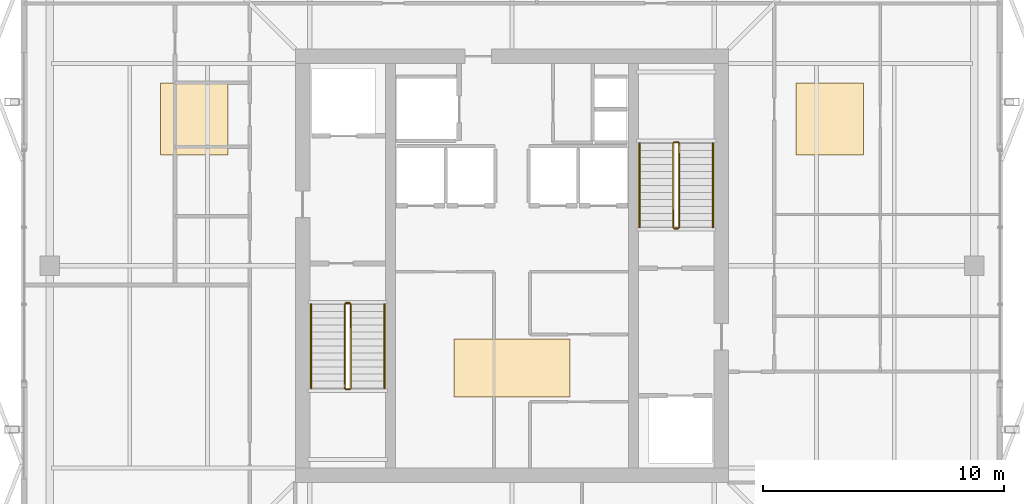
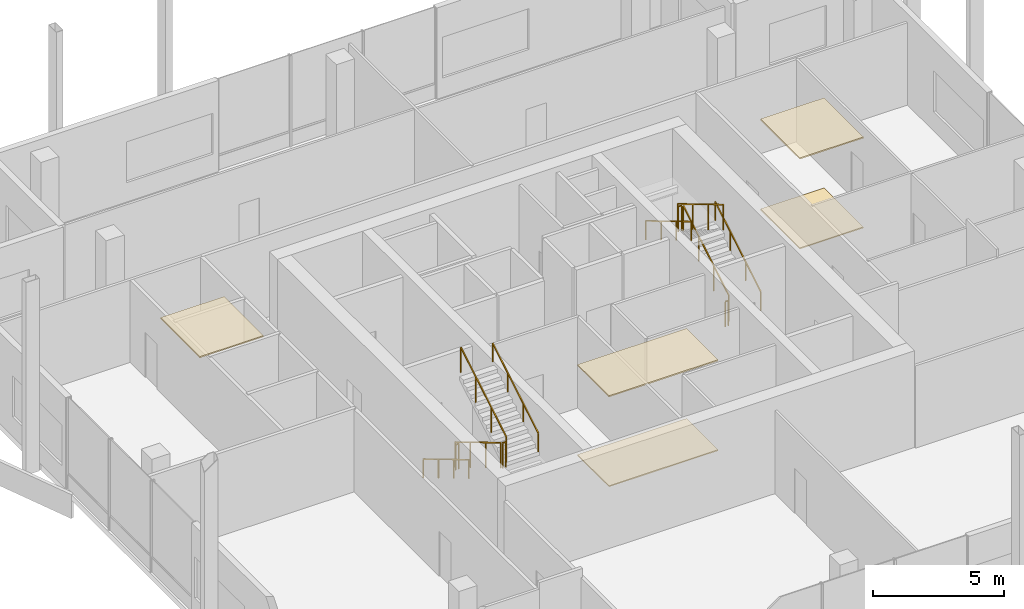
# One storey, part 15 of 15: 12 railings, 5 coverings.
"""IFC4 building model written with IfcOpenShell, lengths in metres."""

from ifc_helpers import new_model, si_unit, direction, frame, origin, origin_2d, place, context, subcontext, project, spatial, polyline, rectangle, outline, extrude, material, layer, layer_set, type_object, element, save


model = new_model("IFC4")

# Units and contexts
model_context = context("Model", 3, precision=1e-05, world=origin(), true_north=direction((0.0, 1.0)))
body_context = subcontext(model_context, "Body", "Model", "MODEL_VIEW")
ifc_project = project(units=[si_unit("LENGTHUNIT", "METRE"), si_unit("AREAUNIT", "SQUARE_METRE"), si_unit("VOLUMEUNIT", "CUBIC_METRE"), si_unit("PLANEANGLEUNIT", "RADIAN"), si_unit("MASSUNIT", "GRAM", prefix="KILO")], contexts=[model_context])

# Site, building, storey
site_placement = place(None, origin())
site = spatial("IfcSite", under=ifc_project, at=site_placement, CompositionType="ELEMENT")
building_placement = place(site_placement, origin())
building = spatial("IfcBuilding", under=site, at=building_placement, Name="Belovzor Exchange Tower", CompositionType="ELEMENT")
storey_placement = place(building_placement, frame((0.0, 0.0, 360.0)))
storey = spatial("IfcBuildingStorey", under=building, at=storey_placement, Name="L90", CompositionType="ELEMENT", Elevation=360.0)

# Railings
ifc_material_1 = material(Name="Stainless Steel Grade 304", Category="steel")
railing_type_1 = type_object("IfcRailingType", Name="Brushed Stainless Steel Stair Handrail 900", PredefinedType="HANDRAIL", material=ifc_material_1)
railing_1_placement = place(storey_placement, frame((20.449951171875, 27.199951171875, 0.173095703125)))
element("IfcRailing", 1, at=railing_1_placement, inside=storey, type_object=railing_type_1, Name="L90 ST-1 stair handrail 1", PredefinedType="HANDRAIL", context=body_context, shape_type="SweptSolid", body=[
    extrude(rectangle(XDim=0.048095703125, YDim=0.048095703125, at=origin_2d()), frame((0.0, 0.0, 0.8759765625), z_axis=(0.0, -0.858697190188, 0.512483302717), x_axis=(1.0, 0.0, 0.0)), (0.0, 0.0, 1.0), 4.052734375),
    extrude(rectangle(XDim=0.0419921875, YDim=0.0419921875, at=origin_2d()), origin(), (0.0, 0.0, 1.0), 0.851806640625),
    extrude(rectangle(XDim=0.0419921875, YDim=0.0419921875, at=origin_2d()), frame((0.0, -1.159912109375, 0.6923828125)), (0.0, 0.0, 1.0), 0.851806640625),
    extrude(rectangle(XDim=0.0419921875, YDim=0.0419921875, at=origin_2d()), frame((0.0, -2.320068359375, 1.384521484375)), (0.0, 0.0, 1.0), 0.851806640625),
    extrude(rectangle(XDim=0.0419921875, YDim=0.0419921875, at=origin_2d()), frame((0.0, -3.47998046875, 2.076904296875)), (0.0, 0.0, 1.0), 0.851806640625),
])
for number, where, name in (
    (2, (23.5, 23.719970703125, 2.423095703125), "L90 ST-1 stair handrail 2"),
    (3, (37.14990234375, 30.39990234375, 0.173095703125), "L90 ST-2 stair handrail 1"),
):
    element("IfcRailing", number, at=place(storey_placement, frame(where)), inside=storey, type_object=railing_type_1, Name=name, PredefinedType="HANDRAIL", context=body_context, shape_type="SweptSolid", body=[
        extrude(rectangle(XDim=0.048095703125, YDim=0.048095703125, at=origin_2d()), frame((0.0, 0.0, 0.8759765625), z_axis=(0.0, 0.858697190188, 0.512483302717), x_axis=(-1.0, 0.0, 0.0)), (0.0, 0.0, 1.0), 4.052734375),
        extrude(rectangle(XDim=0.0419921875, YDim=0.0419921875, at=origin_2d()), origin(), (0.0, 0.0, 1.0), 0.851806640625),
        extrude(rectangle(XDim=0.0419921875, YDim=0.0419921875, at=origin_2d()), frame((0.0, 1.159912109375, 0.6923828125)), (0.0, 0.0, 1.0), 0.851806640625),
        extrude(rectangle(XDim=0.0419921875, YDim=0.0419921875, at=origin_2d()), frame((0.0, 2.320068359375, 1.384521484375)), (0.0, 0.0, 1.0), 0.851806640625),
        extrude(rectangle(XDim=0.0419921875, YDim=0.0419921875, at=origin_2d()), frame((0.0, 3.47998046875, 2.076904296875)), (0.0, 0.0, 1.0), 0.851806640625),
    ])
railing_2_placement = place(storey_placement, frame((34.10009765625, 33.8798828125, 2.423095703125)))
element("IfcRailing", 4, at=railing_2_placement, inside=storey, type_object=railing_type_1, Name="L90 ST-2 stair handrail 2", PredefinedType="HANDRAIL", context=body_context, shape_type="SweptSolid", body=[
    extrude(rectangle(XDim=0.048095703125, YDim=0.048095703125, at=origin_2d()), frame((0.0, 0.0, 0.8759765625), z_axis=(0.0, -0.858697190188, 0.512483302717), x_axis=(1.0, 0.0, 0.0)), (0.0, 0.0, 1.0), 4.052734375),
    extrude(rectangle(XDim=0.0419921875, YDim=0.0419921875, at=origin_2d()), origin(), (0.0, 0.0, 1.0), 0.851806640625),
    extrude(rectangle(XDim=0.0419921875, YDim=0.0419921875, at=origin_2d()), frame((0.0, -1.159912109375, 0.6923828125)), (0.0, 0.0, 1.0), 0.851806640625),
    extrude(rectangle(XDim=0.0419921875, YDim=0.0419921875, at=origin_2d()), frame((0.0, -2.320068359375, 1.384521484375)), (0.0, 0.0, 1.0), 0.851806640625),
    extrude(rectangle(XDim=0.0419921875, YDim=0.0419921875, at=origin_2d()), frame((0.0, -3.47998046875, 2.076904296875)), (0.0, 0.0, 1.0), 0.851806640625),
])
ifc_material_2 = material(Name="Steel S355", Category="steel")
railing_type_2 = type_object("IfcRailingType", Name="Painted Steel Stairwell Guardrail 1200", PredefinedType="GUARDRAIL", material=ifc_material_2)
railing_3_placement = place(storey_placement, frame((21.85009765625, 27.199951171875, 0.173095703125)))
element("IfcRailing", 5, at=railing_3_placement, inside=storey, type_object=railing_type_2, Name="L90 ST-1 stair guard 1", PredefinedType="GUARDRAIL", context=body_context, shape_type="SweptSolid", body=[
    extrude(rectangle(XDim=0.048095703125, YDim=0.048095703125, at=origin_2d()), frame((0.0, 0.0, 1.17578125), z_axis=(0.0, -0.858697190188, 0.512483302717), x_axis=(1.0, 0.0, 0.0)), (0.0, 0.0, 1.0), 4.052734375),
    extrude(rectangle(XDim=0.0419921875, YDim=0.0419921875, at=origin_2d()), origin(), (0.0, 0.0, 1.0), 1.15185546875),
    extrude(rectangle(XDim=0.0419921875, YDim=0.0419921875, at=origin_2d()), frame((0.0, -1.159912109375, 0.6923828125)), (0.0, 0.0, 1.0), 1.15185546875),
    extrude(rectangle(XDim=0.0419921875, YDim=0.0419921875, at=origin_2d()), frame((0.0, -2.320068359375, 1.384521484375)), (0.0, 0.0, 1.0), 1.15185546875),
    extrude(rectangle(XDim=0.0419921875, YDim=0.0419921875, at=origin_2d()), frame((0.0, -3.47998046875, 2.076904296875)), (0.0, 0.0, 1.0), 1.15185546875),
])
railing_4_placement = place(storey_placement, frame((21.89990234375, 23.669921875, 2.25)))
element("IfcRailing", 6, at=railing_4_placement, inside=storey, type_object=railing_type_2, Name="L90 ST-1 stair guard 2", PredefinedType="GUARDRAIL", context=body_context, shape_type="SweptSolid", body=[
    extrude(rectangle(XDim=0.048095703125, YDim=0.048095703125, at=origin_2d()), frame((0.0, 0.0, 1.17578125), z_axis=(1.0, 0.0, 0.0), x_axis=(0.0, 1.0, 0.0)), (0.0, 0.0, 1.0), 0.150146484375),
    extrude(rectangle(XDim=0.0419921875, YDim=0.0419921875, at=origin_2d()), origin(), (0.0, 0.0, 1.0), 1.15185546875),
    extrude(rectangle(XDim=0.0419921875, YDim=0.0419921875, at=origin_2d()), frame((0.150146484375, 0.0, 0.0)), (0.0, 0.0, 1.0), 1.15185546875),
])
railing_5_placement = place(storey_placement, frame((22.10009765625, 23.719970703125, 2.423095703125)))
element("IfcRailing", 7, at=railing_5_placement, inside=storey, type_object=railing_type_2, Name="L90 ST-1 stair guard 3", PredefinedType="GUARDRAIL", context=body_context, shape_type="SweptSolid", body=[
    extrude(rectangle(XDim=0.048095703125, YDim=0.048095703125, at=origin_2d()), frame((0.0, 0.0, 1.17578125), z_axis=(0.0, 0.858697190188, 0.512483302717), x_axis=(-1.0, 0.0, 0.0)), (0.0, 0.0, 1.0), 4.052734375),
    extrude(rectangle(XDim=0.0419921875, YDim=0.0419921875, at=origin_2d()), origin(), (0.0, 0.0, 1.0), 1.15185546875),
    extrude(rectangle(XDim=0.0419921875, YDim=0.0419921875, at=origin_2d()), frame((0.0, 1.159912109375, 0.6923828125)), (0.0, 0.0, 1.0), 1.15185546875),
    extrude(rectangle(XDim=0.0419921875, YDim=0.0419921875, at=origin_2d()), frame((0.0, 2.320068359375, 1.384521484375)), (0.0, 0.0, 1.0), 1.15185546875),
    extrude(rectangle(XDim=0.0419921875, YDim=0.0419921875, at=origin_2d()), frame((0.0, 3.47998046875, 2.076904296875)), (0.0, 0.0, 1.0), 1.15185546875),
])
railing_6_placement = place(storey_placement, frame((21.89990234375, 27.25, 0.0)))
element("IfcRailing", 8, at=railing_6_placement, inside=storey, type_object=railing_type_2, Name="L90 ST-1 stair guard 4", PredefinedType="GUARDRAIL", context=body_context, shape_type="SweptSolid", body=[
    extrude(rectangle(XDim=0.048095703125, YDim=0.048095703125, at=origin_2d()), frame((0.0, 0.0, 1.17578125), z_axis=(1.0, 0.0, 0.0), x_axis=(0.0, 1.0, 0.0)), (0.0, 0.0, 1.0), 0.150146484375),
    extrude(rectangle(XDim=0.0419921875, YDim=0.0419921875, at=origin_2d()), origin(), (0.0, 0.0, 1.0), 1.15185546875),
    extrude(rectangle(XDim=0.0419921875, YDim=0.0419921875, at=origin_2d()), frame((0.150146484375, 0.0, 0.0)), (0.0, 0.0, 1.0), 1.15185546875),
])
railing_7_placement = place(storey_placement, frame((35.75, 30.39990234375, 0.173095703125)))
element("IfcRailing", 9, at=railing_7_placement, inside=storey, type_object=railing_type_2, Name="L90 ST-2 stair guard 1", PredefinedType="GUARDRAIL", context=body_context, shape_type="SweptSolid", body=[
    extrude(rectangle(XDim=0.048095703125, YDim=0.048095703125, at=origin_2d()), frame((0.0, 0.0, 1.17578125), z_axis=(0.0, 0.858697190188, 0.512483302717), x_axis=(-1.0, 0.0, 0.0)), (0.0, 0.0, 1.0), 4.052734375),
    extrude(rectangle(XDim=0.0419921875, YDim=0.0419921875, at=origin_2d()), origin(), (0.0, 0.0, 1.0), 1.15185546875),
    extrude(rectangle(XDim=0.0419921875, YDim=0.0419921875, at=origin_2d()), frame((0.0, 1.159912109375, 0.6923828125)), (0.0, 0.0, 1.0), 1.15185546875),
    extrude(rectangle(XDim=0.0419921875, YDim=0.0419921875, at=origin_2d()), frame((0.0, 2.320068359375, 1.384521484375)), (0.0, 0.0, 1.0), 1.15185546875),
    extrude(rectangle(XDim=0.0419921875, YDim=0.0419921875, at=origin_2d()), frame((0.0, 3.47998046875, 2.076904296875)), (0.0, 0.0, 1.0), 1.15185546875),
])
railing_8_placement = place(storey_placement, frame((35.699951171875, 33.929931640625, 2.25)))
element("IfcRailing", 10, at=railing_8_placement, inside=storey, type_object=railing_type_2, Name="L90 ST-2 stair guard 2", PredefinedType="GUARDRAIL", context=body_context, shape_type="SweptSolid", body=[
    extrude(rectangle(XDim=0.048095703125, YDim=0.048095703125, at=origin_2d()), frame((0.0, 0.0, 1.17578125), z_axis=(-1.0, 0.0, 0.0), x_axis=(0.0, -1.0, 0.0)), (0.0, 0.0, 1.0), 0.14990234375),
    extrude(rectangle(XDim=0.0419921875, YDim=0.0419921875, at=origin_2d()), origin(), (0.0, 0.0, 1.0), 1.15185546875),
    extrude(rectangle(XDim=0.0419921875, YDim=0.0419921875, at=origin_2d()), frame((-0.14990234375, 0.0, 0.0)), (0.0, 0.0, 1.0), 1.15185546875),
])
railing_9_placement = place(storey_placement, frame((35.5, 33.8798828125, 2.423095703125)))
element("IfcRailing", 11, at=railing_9_placement, inside=storey, type_object=railing_type_2, Name="L90 ST-2 stair guard 3", PredefinedType="GUARDRAIL", context=body_context, shape_type="SweptSolid", body=[
    extrude(rectangle(XDim=0.048095703125, YDim=0.048095703125, at=origin_2d()), frame((0.0, 0.0, 1.17578125), z_axis=(0.0, -0.858697190188, 0.512483302717), x_axis=(1.0, 0.0, 0.0)), (0.0, 0.0, 1.0), 4.052734375),
    extrude(rectangle(XDim=0.0419921875, YDim=0.0419921875, at=origin_2d()), origin(), (0.0, 0.0, 1.0), 1.15185546875),
    extrude(rectangle(XDim=0.0419921875, YDim=0.0419921875, at=origin_2d()), frame((0.0, -1.159912109375, 0.6923828125)), (0.0, 0.0, 1.0), 1.15185546875),
    extrude(rectangle(XDim=0.0419921875, YDim=0.0419921875, at=origin_2d()), frame((0.0, -2.320068359375, 1.384521484375)), (0.0, 0.0, 1.0), 1.15185546875),
    extrude(rectangle(XDim=0.0419921875, YDim=0.0419921875, at=origin_2d()), frame((0.0, -3.47998046875, 2.076904296875)), (0.0, 0.0, 1.0), 1.15185546875),
])
railing_10_placement = place(storey_placement, frame((35.699951171875, 30.35009765625, 0.0)))
element("IfcRailing", 12, at=railing_10_placement, inside=storey, type_object=railing_type_2, Name="L90 ST-2 stair guard 4", PredefinedType="GUARDRAIL", context=body_context, shape_type="SweptSolid", body=[
    extrude(rectangle(XDim=0.048095703125, YDim=0.048095703125, at=origin_2d()), frame((0.0, 0.0, 1.17578125), z_axis=(-1.0, 0.0, 0.0), x_axis=(0.0, -1.0, 0.0)), (0.0, 0.0, 1.0), 0.14990234375),
    extrude(rectangle(XDim=0.0419921875, YDim=0.0419921875, at=origin_2d()), origin(), (0.0, 0.0, 1.0), 1.15185546875),
    extrude(rectangle(XDim=0.0419921875, YDim=0.0419921875, at=origin_2d()), frame((-0.14990234375, 0.0, 0.0)), (0.0, 0.0, 1.0), 1.15185546875),
])

# Coverings
ifc_material_3 = material(Name="Perforated Powder-Coated Aluminium", Category="aluminium")
ifc_layer_1 = layer(ifc_material_3, 0.06005859375)
ifc_layer_set_1 = layer_set([ifc_layer_1], Name="Perforated Powder-Coated Aluminium")
covering_type_1 = type_object("IfcCoveringType", Name="Perforated Acoustic Metal Tile Suspended Ceiling 60", PredefinedType="CEILING", material=ifc_layer_set_1)
covering_1_placement = place(storey_placement, frame((0.0, 0.0, 4.179931640625)))
element("IfcCovering", 13, at=covering_1_placement, inside=storey, type_object=covering_type_1, Name="CLG-AC60 Suspended Ceiling CLG-L90-LOB", PredefinedType="CEILING", context=body_context, shape_type="SweptSolid", body=[
    extrude(outline(polyline([(26.39990234375, 23.35009765625), (31.199951171875, 23.35009765625), (31.199951171875, 25.75), (26.39990234375, 25.75), (26.39990234375, 23.35009765625)])), origin(), (0.0, 0.0, 1.0), 0.06005859375),
])
covering_2_placement = place(storey_placement, frame((0.0, 0.0, 4.179931640625)))
element("IfcCovering", 14, at=covering_2_placement, inside=storey, type_object=covering_type_1, Name="CLG-AC60 Suspended Ceiling CLG-L90-Z2", PredefinedType="CEILING", context=body_context, shape_type="SweptSolid", body=[
    extrude(outline(polyline([(40.60009765625, 33.39990234375), (43.39990234375, 33.39990234375), (43.39990234375, 36.39990234375), (40.60009765625, 36.39990234375), (40.60009765625, 33.39990234375)])), origin(), (0.0, 0.0, 1.0), 0.06005859375),
])
covering_3_placement = place(storey_placement, frame((0.0, 0.0, 4.179931640625)))
element("IfcCovering", 15, at=covering_3_placement, inside=storey, type_object=covering_type_1, Name="CLG-AC60 Suspended Ceiling CLG-L90-Z3", PredefinedType="CEILING", context=body_context, shape_type="SweptSolid", body=[
    extrude(outline(polyline([(14.199951171875, 33.39990234375), (17.0, 33.39990234375), (17.0, 36.39990234375), (14.199951171875, 36.39990234375), (14.199951171875, 33.39990234375)])), origin(), (0.0, 0.0, 1.0), 0.06005859375),
])
ifc_material_4 = material(Name="Polished Natural Granite Tile", Category="masonry")
ifc_layer_2 = layer(ifc_material_4, 0.050048828125)
ifc_layer_set_2 = layer_set([ifc_layer_2], Name="Polished Natural Granite Tile")
covering_type_2 = type_object("IfcCoveringType", Name="Polished Karelian Granite & Raised Access Floor Finish 50", PredefinedType="FLOORING", material=ifc_layer_set_2)
covering_4_placement = place(storey_placement, origin())
element("IfcCovering", 16, at=covering_4_placement, inside=storey, type_object=covering_type_2, Name="FLR-GR50 Floor Finish FLR-L90-LOB", PredefinedType="FLOORING", context=body_context, shape_type="SweptSolid", body=[
    extrude(outline(polyline([(26.39990234375, 23.35009765625), (31.199951171875, 23.35009765625), (31.199951171875, 25.75), (26.39990234375, 25.75), (26.39990234375, 23.35009765625)])), origin(), (0.0, 0.0, 1.0), 0.050048828125),
])
covering_5_placement = place(storey_placement, origin())
element("IfcCovering", 17, at=covering_5_placement, inside=storey, type_object=covering_type_2, Name="FLR-GR50 Floor Finish FLR-L90-Z2", PredefinedType="FLOORING", context=body_context, shape_type="SweptSolid", body=[
    extrude(outline(polyline([(40.60009765625, 33.39990234375), (43.39990234375, 33.39990234375), (43.39990234375, 36.39990234375), (40.60009765625, 36.39990234375), (40.60009765625, 33.39990234375)])), origin(), (0.0, 0.0, 1.0), 0.050048828125),
])

save(model, "model.ifc")
